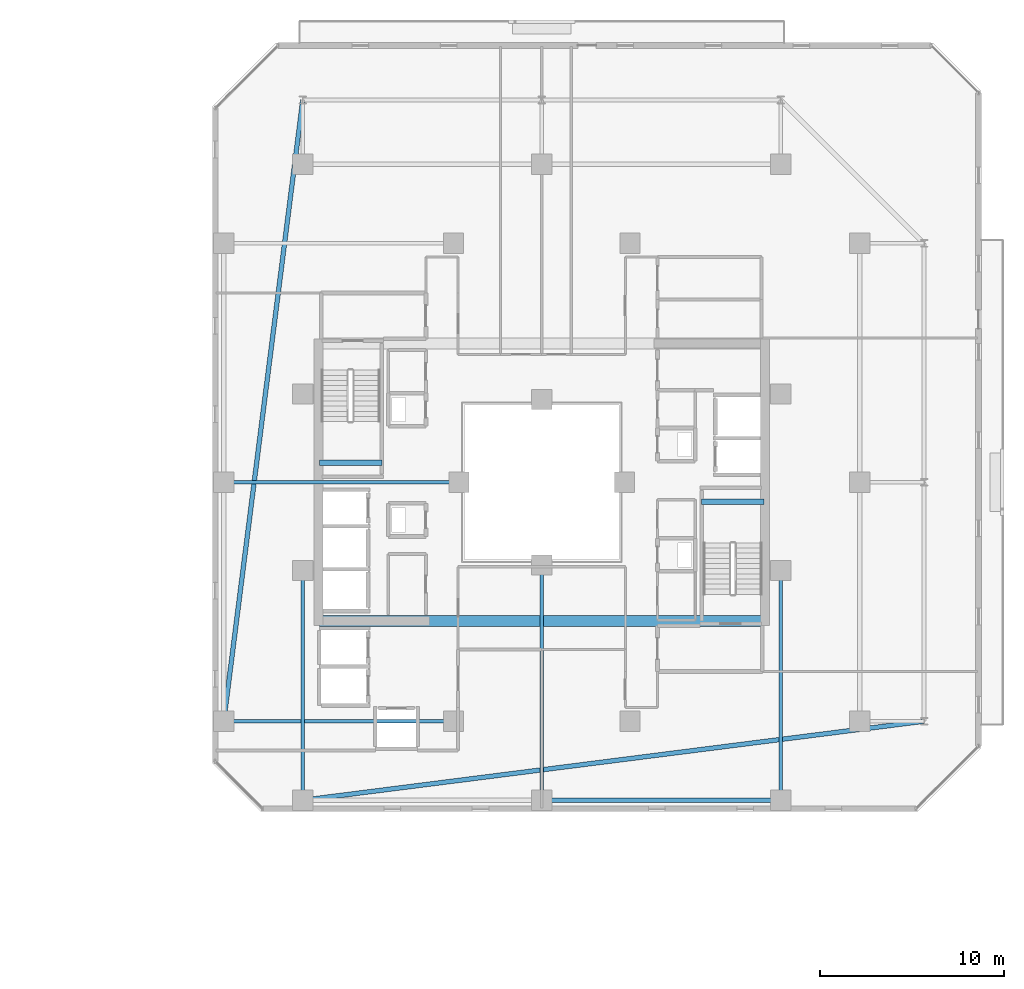
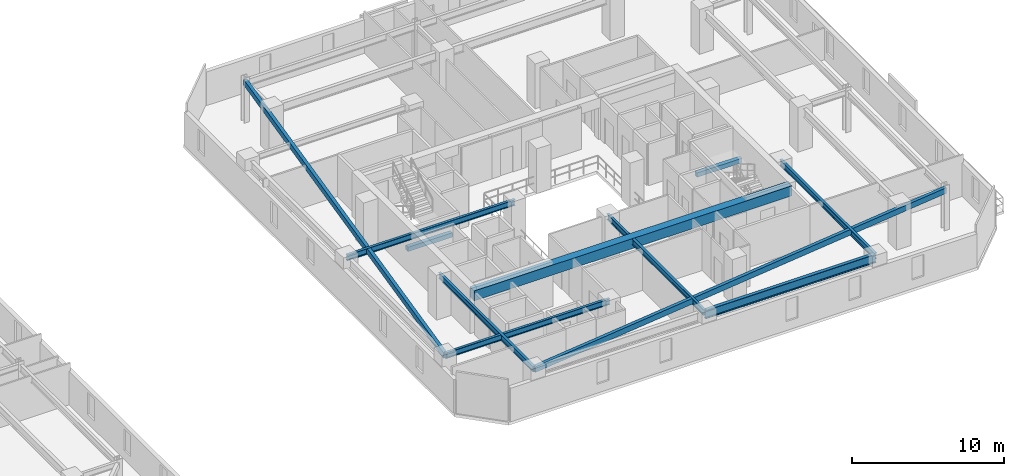
# One storey, part 13 of 33: 11 beams.
"""IFC4 building model written with IfcOpenShell, lengths in metres."""

from ifc_helpers import new_model, si_unit, direction, frame, origin, origin_2d, place, context, subcontext, project, spatial, rectangle, hollow_rectangle, i_section, extrude, material, material_profile, profile_set, type_object, element, save


model = new_model("IFC4")

# Units and contexts
model_context = context("Model", 3, precision=1e-05, world=origin(), true_north=direction((0.0, 1.0)))
body_context = subcontext(model_context, "Body", "Model", "MODEL_VIEW")
ifc_project = project(units=[si_unit("LENGTHUNIT", "METRE"), si_unit("AREAUNIT", "SQUARE_METRE"), si_unit("VOLUMEUNIT", "CUBIC_METRE"), si_unit("PLANEANGLEUNIT", "RADIAN"), si_unit("MASSUNIT", "GRAM", prefix="KILO")], contexts=[model_context])

# Site, building, storey
site_placement = place(None, origin())
site = spatial("IfcSite", under=ifc_project, at=site_placement, CompositionType="ELEMENT")
building_placement = place(site_placement, origin())
building = spatial("IfcBuilding", under=site, at=building_placement, Name="Thornwick Lancets Civic Towers", CompositionType="ELEMENT")
storey_placement = place(building_placement, frame((0.0, 0.0, 159.89990234375)))
storey = spatial("IfcBuildingStorey", under=building, at=storey_placement, Name="L42", CompositionType="ELEMENT", Elevation=159.89990234375)

# Beams
ifc_material_1 = material(Name="Concrete C60/75", Category="concrete")
ifc_material_profile_1 = material_profile(ifc_material_1, rectangle(XDim=0.60009765625, YDim=0.800048828125, at=origin_2d()), Name="RC 600x800")
ifc_profile_set_1 = profile_set([ifc_material_profile_1], Name="Concrete C60/75")
beam_type_1 = type_object("IfcBeamType", Name="BM_COUP_RC800", PredefinedType="BEAM", material=ifc_profile_set_1)
beam_1_placement = place(storey_placement, frame((76.39990234375, 19.449951171875, 2.960205078125), z_axis=(1.0, 0.0, 0.0), x_axis=(0.0, 1.0, 0.0)))
element("IfcBeam", 1, at=beam_1_placement, inside=storey, type_object=beam_type_1, Name="CB-L42-B2", PredefinedType="BEAM", context=body_context, shape_type="SweptSolid", body=[
    extrude(rectangle(XDim=0.60009765625, YDim=0.800048828125, at=origin_2d()), origin(), (0.0, 0.0, 1.0), 24.2001953125),
])
ifc_material_2 = material(Name="Steel S355JR", Category="steel")
ifc_material_profile_2 = material_profile(ifc_material_2, i_section(OverallWidth=0.255859375, OverallDepth=0.69287109375, WebThickness=0.014404296875, FlangeThickness=0.023681640625, FilletRadius=0.01513671875, at=origin_2d()), Name="UKB 686x254x170")
ifc_profile_set_2 = profile_set([ifc_material_profile_2], Name="Steel S355JR")
beam_type_2 = type_object("IfcBeamType", Name="BM_GIRD_686_170", PredefinedType="BEAM", material=ifc_profile_set_2)
beam_2_placement = place(storey_placement, frame((101.5, 9.699951171875, 3.013671875), z_axis=(-1.0, 0.0, 0.0), x_axis=(0.0, -1.0, 0.0)))
element("IfcBeam", 2, at=beam_2_placement, inside=storey, type_object=beam_type_2, Name="BM-SPINE-L42-B-9-10", PredefinedType="BEAM", context=body_context, shape_type="SweptSolid", body=[
    extrude(i_section(OverallWidth=0.255859375, OverallDepth=0.69287109375, WebThickness=0.014404296875, FlangeThickness=0.023681640625, FilletRadius=0.01513671875, at=origin_2d()), origin(), (0.0, 0.0, 1.0), 13.0),
])
ifc_material_profile_3 = material_profile(ifc_material_2, i_section(OverallWidth=0.19287109375, OverallDepth=0.46728515625, WebThickness=0.011474609375, FlangeThickness=0.01953125, FilletRadius=0.01025390625, at=origin_2d()), Name="UKB 457x191x98")
ifc_profile_set_3 = profile_set([ifc_material_profile_3], Name="Steel S355JR")
beam_type_3 = type_object("IfcBeamType", Name="BM_JOIST_457_98", PredefinedType="JOIST", material=ifc_profile_set_3)
beam_3_placement = place(storey_placement, frame((83.699951171875, 14.0, 3.12646484375), z_axis=(-1.0, 0.0, 0.0), x_axis=(0.0, -1.0, 0.0)))
element("IfcBeam", 3, at=beam_3_placement, inside=storey, type_object=beam_type_3, Name="BM-RADIN-L42-B07", PredefinedType="JOIST", context=body_context, shape_type="SweptSolid", body=[
    extrude(i_section(OverallWidth=0.19287109375, OverallDepth=0.46728515625, WebThickness=0.011474609375, FlangeThickness=0.01953125, FilletRadius=0.01025390625, at=origin_2d()), origin(), (0.0, 0.0, 1.0), 12.5),
])
beam_4_placement = place(storey_placement, frame((84.0, 27.0, 3.12646484375), z_axis=(-1.0, 0.0, 0.0), x_axis=(0.0, -1.0, 0.0)))
element("IfcBeam", 4, at=beam_4_placement, inside=storey, type_object=beam_type_3, Name="BM-RADIN-L42-B08", PredefinedType="JOIST", context=body_context, shape_type="SweptSolid", body=[
    extrude(i_section(OverallWidth=0.19287109375, OverallDepth=0.46728515625, WebThickness=0.011474609375, FlangeThickness=0.01953125, FilletRadius=0.01025390625, at=origin_2d()), origin(), (0.0, 0.0, 1.0), 12.800048828125),
])
beam_5_placement = place(storey_placement, frame((101.5, 22.199951171875, 3.12646484375), z_axis=(0.0, -1.0, 0.0), x_axis=(1.0, 0.0, 0.0)))
element("IfcBeam", 5, at=beam_5_placement, inside=storey, type_object=beam_type_3, Name="BM-RADIN-L42-B10", PredefinedType="JOIST", context=body_context, shape_type="SweptSolid", body=[
    extrude(i_section(OverallWidth=0.19287109375, OverallDepth=0.46728515625, WebThickness=0.011474609375, FlangeThickness=0.01953125, FilletRadius=0.01025390625, at=origin_2d()), origin(), (0.0, 0.0, 1.0), 12.5),
])
beam_6_placement = place(storey_placement, frame((88.5, 22.5, 3.12646484375), z_axis=(0.0, -1.0, 0.0), x_axis=(1.0, 0.0, 0.0)))
element("IfcBeam", 6, at=beam_6_placement, inside=storey, type_object=beam_type_3, Name="BM-RADIN-L42-B11", PredefinedType="JOIST", context=body_context, shape_type="SweptSolid", body=[
    extrude(i_section(OverallWidth=0.19287109375, OverallDepth=0.46728515625, WebThickness=0.011474609375, FlangeThickness=0.01953125, FilletRadius=0.01025390625, at=origin_2d()), origin(), (0.0, 0.0, 1.0), 12.800048828125),
])
beam_7_placement = place(storey_placement, frame((75.5, 22.199951171875, 3.12646484375), z_axis=(0.0, -1.0, 0.0), x_axis=(1.0, 0.0, 0.0)))
element("IfcBeam", 7, at=beam_7_placement, inside=storey, type_object=beam_type_3, Name="BM-RADIN-L42-B12", PredefinedType="JOIST", context=body_context, shape_type="SweptSolid", body=[
    extrude(i_section(OverallWidth=0.19287109375, OverallDepth=0.46728515625, WebThickness=0.011474609375, FlangeThickness=0.01953125, FilletRadius=0.01025390625, at=origin_2d()), origin(), (0.0, 0.0, 1.0), 12.5),
])
ifc_material_profile_4 = material_profile(ifc_material_2, hollow_rectangle(XDim=0.25, YDim=0.449951171875, WallThickness=0.01611328125, at=origin_2d()), Name="RHS 450x250x16")
ifc_profile_set_4 = profile_set([ifc_material_profile_4], Name="Steel S355JR")
beam_type_4 = type_object("IfcBeamType", Name="BM_RING_RHS450", PredefinedType="BEAM", material=ifc_profile_set_4)
for number, where, z_axis, x_axis, name in (
    (8, (75.5, 47.800048828125, 3.135009765625), (-0.126202998662, -0.992004437051, 0.0), (0.992004437051, -0.126202998662, 0.0), "BM-CHAMF-L42-B-C1"),
    (9, (75.5, 9.699951171875, 3.135009765625), (0.992004437051, 0.126202998662, 0.0), (-0.126202998662, 0.992004437051, 0.0), "BM-CHAMF-L42-B-C3"),
):
    element("IfcBeam", number, at=place(storey_placement, frame(where, z_axis=z_axis, x_axis=x_axis)), inside=storey, type_object=beam_type_4, Name=name, PredefinedType="BEAM", context=body_context, shape_type="SweptSolid", body=[
        extrude(hollow_rectangle(XDim=0.25, YDim=0.449951171875, WallThickness=0.01611328125, at=origin_2d()), origin(), (0.0, 0.0, 1.0), 34.072509765625),
    ])
ifc_material_3 = material(Name="Concrete C40/50", Category="concrete")
ifc_material_profile_5 = material_profile(ifc_material_3, rectangle(XDim=0.300048828125, YDim=0.35009765625, at=origin_2d()), Name="RC 300x350")
ifc_profile_set_5 = profile_set([ifc_material_profile_5], Name="Concrete C40/50")
beam_type_5 = type_object("IfcBeamType", Name="BM_STAIR_LDG", PredefinedType="BEAM", material=ifc_profile_set_5)
for number, where, z_axis, x_axis, name in (
    (10, (100.60009765625, 25.93505859375, 1.378173828125), (-1.0, 0.0, 0.0), (0.0, -1.0, 0.0), "L42 ST-B1 Landing Support Beam 1"),
    (11, (76.39990234375, 28.06494140625, 1.378173828125), (1.0, 0.0, 0.0), (0.0, 1.0, 0.0), "L42 ST-B2 Landing Support Beam 1"),
):
    element("IfcBeam", number, at=place(storey_placement, frame(where, z_axis=z_axis, x_axis=x_axis)), inside=storey, type_object=beam_type_5, Name=name, PredefinedType="BEAM", context=body_context, shape_type="SweptSolid", body=[
        extrude(rectangle(XDim=0.300048828125, YDim=0.35009765625, at=origin_2d()), origin(), (0.0, 0.0, 1.0), 3.400146484375),
    ])

save(model, "model.ifc")
